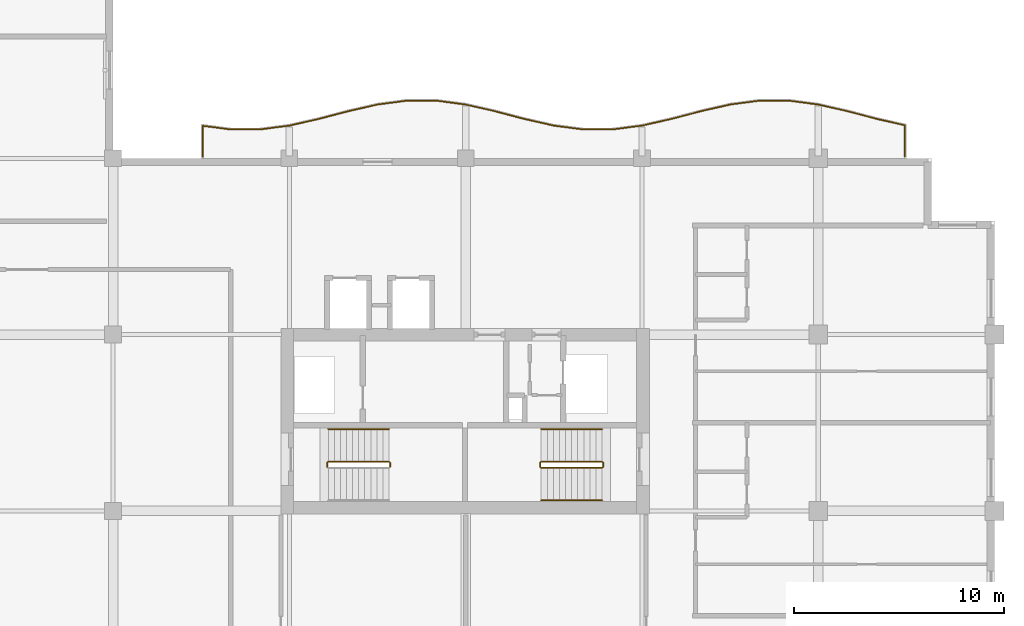
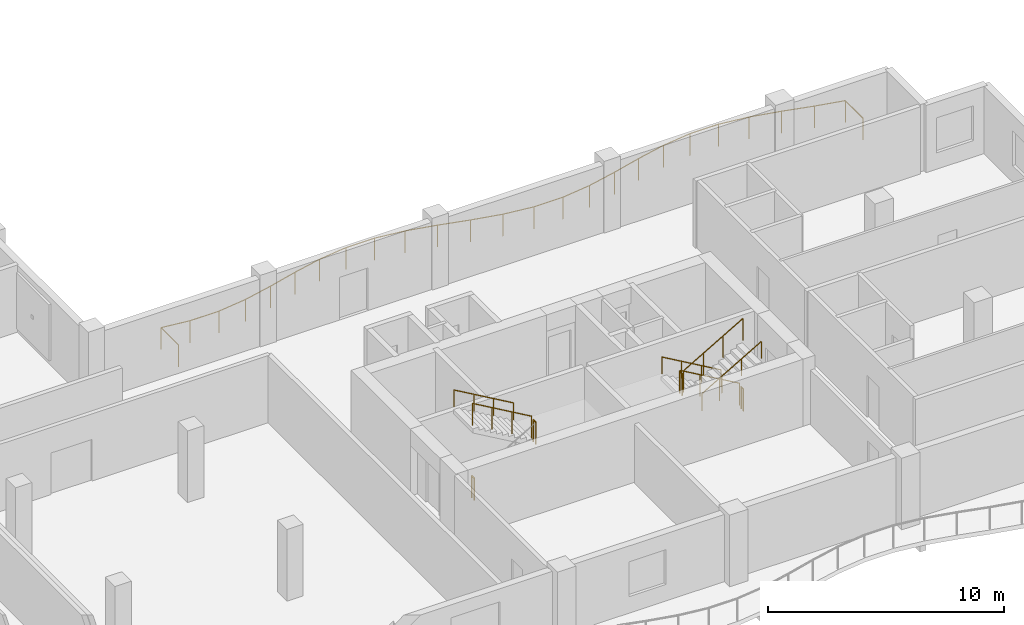
# One storey, part 11 of 12: 11 railings.
"""IFC4 building model written with IfcOpenShell, lengths in metres."""

from ifc_helpers import new_model, si_unit, direction, frame, origin, origin_2d, place, context, subcontext, project, spatial, circle, extrude, material, type_object, element, save


model = new_model("IFC4")

# Units and contexts
model_context = context("Model", 3, precision=1e-05, world=origin(), true_north=direction((0.0, 1.0)))
body_context = subcontext(model_context, "Body", "Model", "MODEL_VIEW")
ifc_project = project(units=[si_unit("LENGTHUNIT", "METRE"), si_unit("AREAUNIT", "SQUARE_METRE"), si_unit("VOLUMEUNIT", "CUBIC_METRE"), si_unit("PLANEANGLEUNIT", "RADIAN"), si_unit("MASSUNIT", "GRAM", prefix="KILO")], contexts=[model_context])

# Site, building, storey
site_placement = place(None, origin())
site = spatial("IfcSite", under=ifc_project, at=site_placement, CompositionType="ELEMENT")
building_placement = place(site_placement, origin())
building = spatial("IfcBuilding", under=site, at=building_placement, Name="Koriwani Terraces Tower", CompositionType="ELEMENT")
storey_placement = place(building_placement, frame((0.0, 0.0, 271.199951171875)))
storey = spatial("IfcBuildingStorey", under=building, at=storey_placement, Name="L67", CompositionType="ELEMENT", Elevation=271.199951171875)

# Railings
ifc_material = material(Name="Steel ASTM A572 Grade 50", Category="steel")
railing_type_1 = type_object("IfcRailingType", Name="GUARD_BALUSTRADE_1150", PredefinedType="BALUSTRADE", material=ifc_material)
railing_1_placement = place(storey_placement, frame((71.320068359375, 33.679931640625, 0.0)))
element("IfcRailing", 1, at=railing_1_placement, inside=storey, type_object=railing_type_1, Name="L67 Balcony Perimeter Safety Balustrade (NE)", PredefinedType="BALUSTRADE", context=body_context, shape_type="SweptSolid", body=[
    extrude(circle(Radius=0.02392578125, at=origin_2d()), frame((0.0, 0.0, 1.1259765625), z_axis=(0.0, 1.0, 0.0), x_axis=(-1.0, 0.0, 0.0)), (0.0, 0.0, 1.0), 1.494140625),
    extrude(circle(Radius=0.02392578125, at=origin_2d()), frame((0.0, 1.494140625, 1.1259765625), z_axis=(-0.97511713615, 0.221690258665, 0.0), x_axis=(-0.221690258665, -0.97511713615, 0.0)), (0.0, 0.0, 1.0), 1.373291015625),
    extrude(circle(Radius=0.02392578125, at=origin_2d()), frame((-1.339111328125, 1.798583984375, 1.1259765625), z_axis=(-0.967196782226, 0.254028314271, 0.0), x_axis=(-0.254028314271, -0.967196782226, 0.0)), (0.0, 0.0, 1.0), 1.447265625),
    extrude(circle(Radius=0.02392578125, at=origin_2d()), frame((-2.739013671875, 2.166259765625, 1.1259765625), z_axis=(-0.975164692652, 0.221480974814, 0.0), x_axis=(-0.221480974814, -0.975164692652, 0.0)), (0.0, 0.0, 1.0), 1.430908203125),
    extrude(circle(Radius=0.02392578125, at=origin_2d()), frame((-4.13427734375, 2.483154296875, 1.1259765625), z_axis=(-0.991490391866, 0.130179886452, 0.0), x_axis=(-0.130179886452, -0.991490391866, 0.0)), (0.0, 0.0, 1.0), 1.40283203125),
    extrude(circle(Radius=0.02392578125, at=origin_2d()), frame((-5.525146484375, 2.665771484375, 1.1259765625), z_axis=(-1.0, 0.0, 0.0), x_axis=(0.0, -1.0, 0.0)), (0.0, 0.0, 1.0), 1.3896484375),
    extrude(circle(Radius=0.02392578125, at=origin_2d()), frame((-6.914794921875, 2.665771484375, 1.1259765625), z_axis=(-0.991493340479, -0.130157426935, 0.0), x_axis=(0.130157426935, -0.991493340479, 0.0)), (0.0, 0.0, 1.0), 1.403076171875),
    extrude(circle(Radius=0.02392578125, at=origin_2d()), frame((-8.305908203125, 2.483154296875, 1.1259765625), z_axis=(-0.975164692652, -0.221480974814, 0.0), x_axis=(0.221480974814, -0.975164692652, 0.0)), (0.0, 0.0, 1.0), 1.430908203125),
    extrude(circle(Radius=0.02392578125, at=origin_2d()), frame((-9.701171875, 2.166259765625, 1.1259765625), z_axis=(-0.967196782226, -0.254028314271, 0.0), x_axis=(0.254028314271, -0.967196782226, 0.0)), (0.0, 0.0, 1.0), 1.447265625),
    extrude(circle(Radius=0.02392578125, at=origin_2d()), frame((-11.10107421875, 1.798583984375, 1.1259765625), z_axis=(-0.975122866469, -0.221665052023, 0.0), x_axis=(0.221665052023, -0.975122866469, 0.0)), (0.0, 0.0, 1.0), 1.440673828125),
    extrude(circle(Radius=0.02392578125, at=origin_2d()), frame((-12.505859375, 1.479248046875, 1.1259765625), z_axis=(-0.991528403605, -0.12989004906, 0.0), x_axis=(0.12989004906, -0.991528403605, 0.0)), (0.0, 0.0, 1.0), 1.4208984375),
    extrude(circle(Radius=0.02392578125, at=origin_2d()), frame((-13.914794921875, 1.294677734375, 1.1259765625), z_axis=(-1.0, 0.0, 0.0), x_axis=(0.0, -1.0, 0.0)), (0.0, 0.0, 1.0), 1.410400390625),
    extrude(circle(Radius=0.02392578125, at=origin_2d()), frame((-15.3251953125, 1.294677734375, 1.1259765625), z_axis=(-0.991528403605, 0.12989004906, 0.0), x_axis=(-0.12989004906, -0.991528403605, 0.0)), (0.0, 0.0, 1.0), 1.4208984375),
    extrude(circle(Radius=0.02392578125, at=origin_2d()), frame((-16.734130859375, 1.479248046875, 1.1259765625), z_axis=(-0.975131191317, 0.221628427149, 0.0), x_axis=(-0.221628427149, -0.975131191317, 0.0)), (0.0, 0.0, 1.0), 1.44091796875),
    extrude(circle(Radius=0.02392578125, at=origin_2d()), frame((-18.13916015625, 1.798583984375, 1.1259765625), z_axis=(-0.967196782226, 0.254028314271, 0.0), x_axis=(-0.254028314271, -0.967196782226, 0.0)), (0.0, 0.0, 1.0), 1.447265625),
    extrude(circle(Radius=0.02392578125, at=origin_2d()), frame((-19.5390625, 2.166259765625, 1.1259765625), z_axis=(-0.975156320387, 0.221517834068, 0.0), x_axis=(-0.221517834068, -0.975156320387, 0.0)), (0.0, 0.0, 1.0), 1.4306640625),
    extrude(circle(Radius=0.02392578125, at=origin_2d()), frame((-20.93408203125, 2.483154296875, 1.1259765625), z_axis=(-0.991493340479, 0.130157426935, 0.0), x_axis=(-0.130157426935, -0.991493340479, 0.0)), (0.0, 0.0, 1.0), 1.403076171875),
    extrude(circle(Radius=0.02392578125, at=origin_2d()), frame((-22.3251953125, 2.665771484375, 1.1259765625), z_axis=(-1.0, 0.0, 0.0), x_axis=(0.0, -1.0, 0.0)), (0.0, 0.0, 1.0), 1.3896484375),
    extrude(circle(Radius=0.02392578125, at=origin_2d()), frame((-23.71484375, 2.665771484375, 1.1259765625), z_axis=(-0.991493340479, -0.130157426935, 0.0), x_axis=(0.130157426935, -0.991493340479, 0.0)), (0.0, 0.0, 1.0), 1.403076171875),
    extrude(circle(Radius=0.02392578125, at=origin_2d()), frame((-25.10595703125, 2.483154296875, 1.1259765625), z_axis=(-0.975156320387, -0.221517834068, 0.0), x_axis=(0.221517834068, -0.975156320387, 0.0)), (0.0, 0.0, 1.0), 1.4306640625),
    extrude(circle(Radius=0.02392578125, at=origin_2d()), frame((-26.5009765625, 2.166259765625, 1.1259765625), z_axis=(-0.967207664387, -0.253986877518, 0.0), x_axis=(0.253986877518, -0.967207664387, 0.0)), (0.0, 0.0, 1.0), 1.447509765625),
    extrude(circle(Radius=0.02392578125, at=origin_2d()), frame((-27.901123046875, 1.798583984375, 1.1259765625), z_axis=(-0.975122866469, -0.221665052023, 0.0), x_axis=(0.221665052023, -0.975122866469, 0.0)), (0.0, 0.0, 1.0), 1.440673828125),
    extrude(circle(Radius=0.02392578125, at=origin_2d()), frame((-29.305908203125, 1.479248046875, 1.1259765625), z_axis=(-0.991528403605, -0.12989004906, 0.0), x_axis=(0.12989004906, -0.991528403605, 0.0)), (0.0, 0.0, 1.0), 1.4208984375),
    extrude(circle(Radius=0.02392578125, at=origin_2d()), frame((-30.71484375, 1.294677734375, 1.1259765625), z_axis=(-1.0, 0.0, 0.0), x_axis=(0.0, -1.0, 0.0)), (0.0, 0.0, 1.0), 1.410400390625),
    extrude(circle(Radius=0.02392578125, at=origin_2d()), frame((-32.125244140625, 1.294677734375, 1.1259765625), z_axis=(-0.991541795882, 0.129787776847, 0.0), x_axis=(-0.129787776847, -0.991541795882, 0.0)), (0.0, 0.0, 1.0), 1.326171875),
    extrude(circle(Radius=0.02392578125, at=origin_2d()), frame((-33.440185546875, 1.466796875, 1.1259765625), z_axis=(0.0, -1.0, 0.0), x_axis=(1.0, 0.0, 0.0)), (0.0, 0.0, 1.0), 1.466796875),
    extrude(circle(Radius=0.02099609375, at=origin_2d()), origin(), (0.0, 0.0, 1.0), 1.101806640625),
    extrude(circle(Radius=0.02099609375, at=origin_2d()), frame((0.0, 1.494140625, 0.0)), (0.0, 0.0, 1.0), 1.101806640625),
    extrude(circle(Radius=0.02099609375, at=origin_2d()), frame((-1.339111328125, 1.798583984375, 0.0)), (0.0, 0.0, 1.0), 1.101806640625),
    extrude(circle(Radius=0.02099609375, at=origin_2d()), frame((-2.739013671875, 2.166259765625, 0.0)), (0.0, 0.0, 1.0), 1.101806640625),
    extrude(circle(Radius=0.02099609375, at=origin_2d()), frame((-4.13427734375, 2.483154296875, 0.0)), (0.0, 0.0, 1.0), 1.101806640625),
    extrude(circle(Radius=0.02099609375, at=origin_2d()), frame((-5.525146484375, 2.665771484375, 0.0)), (0.0, 0.0, 1.0), 1.101806640625),
    extrude(circle(Radius=0.02099609375, at=origin_2d()), frame((-6.914794921875, 2.665771484375, 0.0)), (0.0, 0.0, 1.0), 1.101806640625),
    extrude(circle(Radius=0.02099609375, at=origin_2d()), frame((-8.305908203125, 2.483154296875, 0.0)), (0.0, 0.0, 1.0), 1.101806640625),
    extrude(circle(Radius=0.02099609375, at=origin_2d()), frame((-9.701171875, 2.166259765625, 0.0)), (0.0, 0.0, 1.0), 1.101806640625),
    extrude(circle(Radius=0.02099609375, at=origin_2d()), frame((-11.10107421875, 1.798583984375, 0.0)), (0.0, 0.0, 1.0), 1.101806640625),
    extrude(circle(Radius=0.02099609375, at=origin_2d()), frame((-12.505859375, 1.479248046875, 0.0)), (0.0, 0.0, 1.0), 1.101806640625),
    extrude(circle(Radius=0.02099609375, at=origin_2d()), frame((-13.914794921875, 1.294677734375, 0.0)), (0.0, 0.0, 1.0), 1.101806640625),
    extrude(circle(Radius=0.02099609375, at=origin_2d()), frame((-15.3251953125, 1.294677734375, 0.0)), (0.0, 0.0, 1.0), 1.101806640625),
    extrude(circle(Radius=0.02099609375, at=origin_2d()), frame((-16.734130859375, 1.479248046875, 0.0)), (0.0, 0.0, 1.0), 1.101806640625),
    extrude(circle(Radius=0.02099609375, at=origin_2d()), frame((-18.13916015625, 1.798583984375, 0.0)), (0.0, 0.0, 1.0), 1.101806640625),
    extrude(circle(Radius=0.02099609375, at=origin_2d()), frame((-19.5390625, 2.166259765625, 0.0)), (0.0, 0.0, 1.0), 1.101806640625),
    extrude(circle(Radius=0.02099609375, at=origin_2d()), frame((-20.93408203125, 2.483154296875, 0.0)), (0.0, 0.0, 1.0), 1.101806640625),
    extrude(circle(Radius=0.02099609375, at=origin_2d()), frame((-22.3251953125, 2.665771484375, 0.0)), (0.0, 0.0, 1.0), 1.101806640625),
    extrude(circle(Radius=0.02099609375, at=origin_2d()), frame((-23.71484375, 2.665771484375, 0.0)), (0.0, 0.0, 1.0), 1.101806640625),
    extrude(circle(Radius=0.02099609375, at=origin_2d()), frame((-25.10595703125, 2.483154296875, 0.0)), (0.0, 0.0, 1.0), 1.101806640625),
    extrude(circle(Radius=0.02099609375, at=origin_2d()), frame((-26.5009765625, 2.166259765625, 0.0)), (0.0, 0.0, 1.0), 1.101806640625),
    extrude(circle(Radius=0.02099609375, at=origin_2d()), frame((-27.901123046875, 1.798583984375, 0.0)), (0.0, 0.0, 1.0), 1.101806640625),
    extrude(circle(Radius=0.02099609375, at=origin_2d()), frame((-29.305908203125, 1.479248046875, 0.0)), (0.0, 0.0, 1.0), 1.101806640625),
    extrude(circle(Radius=0.02099609375, at=origin_2d()), frame((-30.71484375, 1.294677734375, 0.0)), (0.0, 0.0, 1.0), 1.101806640625),
    extrude(circle(Radius=0.02099609375, at=origin_2d()), frame((-32.125244140625, 1.294677734375, 0.0)), (0.0, 0.0, 1.0), 1.101806640625),
    extrude(circle(Radius=0.02099609375, at=origin_2d()), frame((-33.440185546875, 1.466796875, 0.0)), (0.0, 0.0, 1.0), 1.101806640625),
    extrude(circle(Radius=0.02099609375, at=origin_2d()), frame((-33.440185546875, 0.0, 0.0)), (0.0, 0.0, 1.0), 1.101806640625),
])
railing_type_2 = type_object("IfcRailingType", Name="GUARD_STAIR_WELL_1120", PredefinedType="GUARDRAIL", material=ifc_material)
railing_2_placement = place(storey_placement, frame((46.800048828125, 18.89990234375, 1.85009765625)))
element("IfcRailing", 2, at=railing_2_placement, inside=storey, type_object=railing_type_2, Name="L67 ST-E1 stair guard 2", PredefinedType="GUARDRAIL", context=body_context, shape_type="SweptSolid", body=[
    extrude(circle(Radius=0.02392578125, at=origin_2d()), frame((0.0, 0.0, 1.1259765625), z_axis=(0.0, 1.0, 0.0), x_axis=(-1.0, 0.0, 0.0)), (0.0, 0.0, 1.0), 0.2001953125),
    extrude(circle(Radius=0.02099609375, at=origin_2d()), origin(), (0.0, 0.0, 1.0), 1.101806640625),
    extrude(circle(Radius=0.02099609375, at=origin_2d()), frame((0.0, 0.2001953125, 0.0)), (0.0, 0.0, 1.0), 1.101806640625),
])
railing_3_placement = place(storey_placement, frame((46.75, 19.14990234375, 2.018310546875)))
element("IfcRailing", 3, at=railing_3_placement, inside=storey, type_object=railing_type_2, Name="L67 ST-E1 stair guard 3", PredefinedType="GUARDRAIL", context=body_context, shape_type="SweptSolid", body=[
    extrude(circle(Radius=0.02392578125, at=origin_2d()), frame((0.0, 0.0, 1.1259765625), z_axis=(-0.86507038078, 0.0, 0.501650512107), x_axis=(0.0, -1.0, 0.0)), (0.0, 0.0, 1.0), 3.352294921875),
    extrude(circle(Radius=0.02099609375, at=origin_2d()), origin(), (0.0, 0.0, 1.0), 1.101806640625),
    extrude(circle(Radius=0.02099609375, at=origin_2d()), frame((-0.966552734375, 0.0, 0.560546875)), (0.0, 0.0, 1.0), 1.101806640625),
    extrude(circle(Radius=0.02099609375, at=origin_2d()), frame((-1.933349609375, 0.0, 1.12109375)), (0.0, 0.0, 1.0), 1.101806640625),
    extrude(circle(Radius=0.02099609375, at=origin_2d()), frame((-2.89990234375, 0.0, 1.681640625)), (0.0, 0.0, 1.0), 1.101806640625),
])
railing_4_placement = place(storey_placement, frame((43.800048828125, 18.89990234375, 0.0)))
element("IfcRailing", 4, at=railing_4_placement, inside=storey, type_object=railing_type_2, Name="L67 ST-E1 stair guard 4", PredefinedType="GUARDRAIL", context=body_context, shape_type="SweptSolid", body=[
    extrude(circle(Radius=0.02392578125, at=origin_2d()), frame((0.0, 0.0, 1.1259765625), z_axis=(0.0, 1.0, 0.0), x_axis=(-1.0, 0.0, 0.0)), (0.0, 0.0, 1.0), 0.2001953125),
    extrude(circle(Radius=0.02099609375, at=origin_2d()), origin(), (0.0, 0.0, 1.0), 1.101806640625),
    extrude(circle(Radius=0.02099609375, at=origin_2d()), frame((0.0, 0.2001953125, 0.0)), (0.0, 0.0, 1.0), 1.101806640625),
])
railing_5_placement = place(storey_placement, frame((56.89990234375, 19.14990234375, 0.168212890625)))
element("IfcRailing", 5, at=railing_5_placement, inside=storey, type_object=railing_type_2, Name="L67 ST-E2 stair guard 1", PredefinedType="GUARDRAIL", context=body_context, shape_type="SweptSolid", body=[
    extrude(circle(Radius=0.02392578125, at=origin_2d()), frame((0.0, 0.0, 1.1259765625), z_axis=(-0.865038774852, 0.0, 0.501705010941), x_axis=(0.0, -1.0, 0.0)), (0.0, 0.0, 1.0), 3.352294921875),
    extrude(circle(Radius=0.02099609375, at=origin_2d()), origin(), (0.0, 0.0, 1.0), 1.101806640625),
    extrude(circle(Radius=0.02099609375, at=origin_2d()), frame((-0.966552734375, 0.0, 0.560546875)), (0.0, 0.0, 1.0), 1.101806640625),
    extrude(circle(Radius=0.02099609375, at=origin_2d()), frame((-1.933349609375, 0.0, 1.121337890625)), (0.0, 0.0, 1.0), 1.101806640625),
    extrude(circle(Radius=0.02099609375, at=origin_2d()), frame((-2.89990234375, 0.0, 1.681884765625)), (0.0, 0.0, 1.0), 1.101806640625),
])
railing_6_placement = place(storey_placement, frame((53.949951171875, 19.10009765625, 1.85009765625)))
element("IfcRailing", 6, at=railing_6_placement, inside=storey, type_object=railing_type_2, Name="L67 ST-E2 stair guard 2", PredefinedType="GUARDRAIL", context=body_context, shape_type="SweptSolid", body=[
    extrude(circle(Radius=0.02392578125, at=origin_2d()), frame((0.0, 0.0, 1.1259765625), z_axis=(0.0, -1.0, 0.0), x_axis=(1.0, 0.0, 0.0)), (0.0, 0.0, 1.0), 0.2001953125),
    extrude(circle(Radius=0.02099609375, at=origin_2d()), origin(), (0.0, 0.0, 1.0), 1.101806640625),
    extrude(circle(Radius=0.02099609375, at=origin_2d()), frame((0.0, -0.2001953125, 0.0)), (0.0, 0.0, 1.0), 1.101806640625),
])
railing_7_placement = place(storey_placement, frame((54.0, 18.85009765625, 2.018310546875)))
element("IfcRailing", 7, at=railing_7_placement, inside=storey, type_object=railing_type_2, Name="L67 ST-E2 stair guard 3", PredefinedType="GUARDRAIL", context=body_context, shape_type="SweptSolid", body=[
    extrude(circle(Radius=0.02392578125, at=origin_2d()), frame((0.0, 0.0, 1.1259765625), z_axis=(0.86507038078, 0.0, 0.501650512107), x_axis=(0.0, 1.0, 0.0)), (0.0, 0.0, 1.0), 3.352294921875),
    extrude(circle(Radius=0.02099609375, at=origin_2d()), origin(), (0.0, 0.0, 1.0), 1.101806640625),
    extrude(circle(Radius=0.02099609375, at=origin_2d()), frame((0.966552734375, 0.0, 0.560546875)), (0.0, 0.0, 1.0), 1.101806640625),
    extrude(circle(Radius=0.02099609375, at=origin_2d()), frame((1.933349609375, 0.0, 1.12109375)), (0.0, 0.0, 1.0), 1.101806640625),
    extrude(circle(Radius=0.02099609375, at=origin_2d()), frame((2.89990234375, 0.0, 1.681640625)), (0.0, 0.0, 1.0), 1.101806640625),
])
railing_8_placement = place(storey_placement, frame((56.949951171875, 19.10009765625, 0.0)))
element("IfcRailing", 8, at=railing_8_placement, inside=storey, type_object=railing_type_2, Name="L67 ST-E2 stair guard 4", PredefinedType="GUARDRAIL", context=body_context, shape_type="SweptSolid", body=[
    extrude(circle(Radius=0.02392578125, at=origin_2d()), frame((0.0, 0.0, 1.1259765625), z_axis=(0.0, -1.0, 0.0), x_axis=(1.0, 0.0, 0.0)), (0.0, 0.0, 1.0), 0.2001953125),
    extrude(circle(Radius=0.02099609375, at=origin_2d()), origin(), (0.0, 0.0, 1.0), 1.101806640625),
    extrude(circle(Radius=0.02099609375, at=origin_2d()), frame((0.0, -0.2001953125, 0.0)), (0.0, 0.0, 1.0), 1.101806640625),
])
railing_type_3 = type_object("IfcRailingType", Name="HANDRAIL_STAIR_920", PredefinedType="HANDRAIL", material=ifc_material)
railing_9_placement = place(storey_placement, frame((46.75, 20.699951171875, 2.018310546875)))
element("IfcRailing", 9, at=railing_9_placement, inside=storey, type_object=railing_type_3, Name="L67 ST-E1 stair handrail 2", PredefinedType="HANDRAIL", context=body_context, shape_type="SweptSolid", body=[
    extrude(circle(Radius=0.02392578125, at=origin_2d()), frame((0.0, 0.0, 0.8759765625), z_axis=(-0.86507038078, 0.0, 0.501650512107), x_axis=(0.0, -1.0, 0.0)), (0.0, 0.0, 1.0), 3.352294921875),
    extrude(circle(Radius=0.02099609375, at=origin_2d()), origin(), (0.0, 0.0, 1.0), 0.851806640625),
    extrude(circle(Radius=0.02099609375, at=origin_2d()), frame((-0.966552734375, 0.0, 0.560546875)), (0.0, 0.0, 1.0), 0.851806640625),
    extrude(circle(Radius=0.02099609375, at=origin_2d()), frame((-1.933349609375, 0.0, 1.12109375)), (0.0, 0.0, 1.0), 0.851806640625),
    extrude(circle(Radius=0.02099609375, at=origin_2d()), frame((-2.89990234375, 0.0, 1.681640625)), (0.0, 0.0, 1.0), 0.851806640625),
])
railing_10_placement = place(storey_placement, frame((56.89990234375, 20.699951171875, 0.168212890625)))
element("IfcRailing", 10, at=railing_10_placement, inside=storey, type_object=railing_type_3, Name="L67 ST-E2 stair handrail 1", PredefinedType="HANDRAIL", context=body_context, shape_type="SweptSolid", body=[
    extrude(circle(Radius=0.02392578125, at=origin_2d()), frame((0.0, 0.0, 0.8759765625), z_axis=(-0.865038774852, 0.0, 0.501705010941), x_axis=(0.0, -1.0, 0.0)), (0.0, 0.0, 1.0), 3.352294921875),
    extrude(circle(Radius=0.02099609375, at=origin_2d()), origin(), (0.0, 0.0, 1.0), 0.851806640625),
    extrude(circle(Radius=0.02099609375, at=origin_2d()), frame((-0.966552734375, 0.0, 0.560546875)), (0.0, 0.0, 1.0), 0.851806640625),
    extrude(circle(Radius=0.02099609375, at=origin_2d()), frame((-1.933349609375, 0.0, 1.121337890625)), (0.0, 0.0, 1.0), 0.851806640625),
    extrude(circle(Radius=0.02099609375, at=origin_2d()), frame((-2.89990234375, 0.0, 1.681884765625)), (0.0, 0.0, 1.0), 0.851806640625),
])
railing_11_placement = place(storey_placement, frame((54.0, 17.300048828125, 2.018310546875)))
element("IfcRailing", 11, at=railing_11_placement, inside=storey, type_object=railing_type_3, Name="L67 ST-E2 stair handrail 2", PredefinedType="HANDRAIL", context=body_context, shape_type="SweptSolid", body=[
    extrude(circle(Radius=0.02392578125, at=origin_2d()), frame((0.0, 0.0, 0.8759765625), z_axis=(0.86507038078, 0.0, 0.501650512107), x_axis=(0.0, 1.0, 0.0)), (0.0, 0.0, 1.0), 3.352294921875),
    extrude(circle(Radius=0.02099609375, at=origin_2d()), origin(), (0.0, 0.0, 1.0), 0.851806640625),
    extrude(circle(Radius=0.02099609375, at=origin_2d()), frame((0.966552734375, 0.0, 0.560546875)), (0.0, 0.0, 1.0), 0.851806640625),
    extrude(circle(Radius=0.02099609375, at=origin_2d()), frame((1.933349609375, 0.0, 1.12109375)), (0.0, 0.0, 1.0), 0.851806640625),
    extrude(circle(Radius=0.02099609375, at=origin_2d()), frame((2.89990234375, 0.0, 1.681640625)), (0.0, 0.0, 1.0), 0.851806640625),
])

save(model, "model.ifc")
